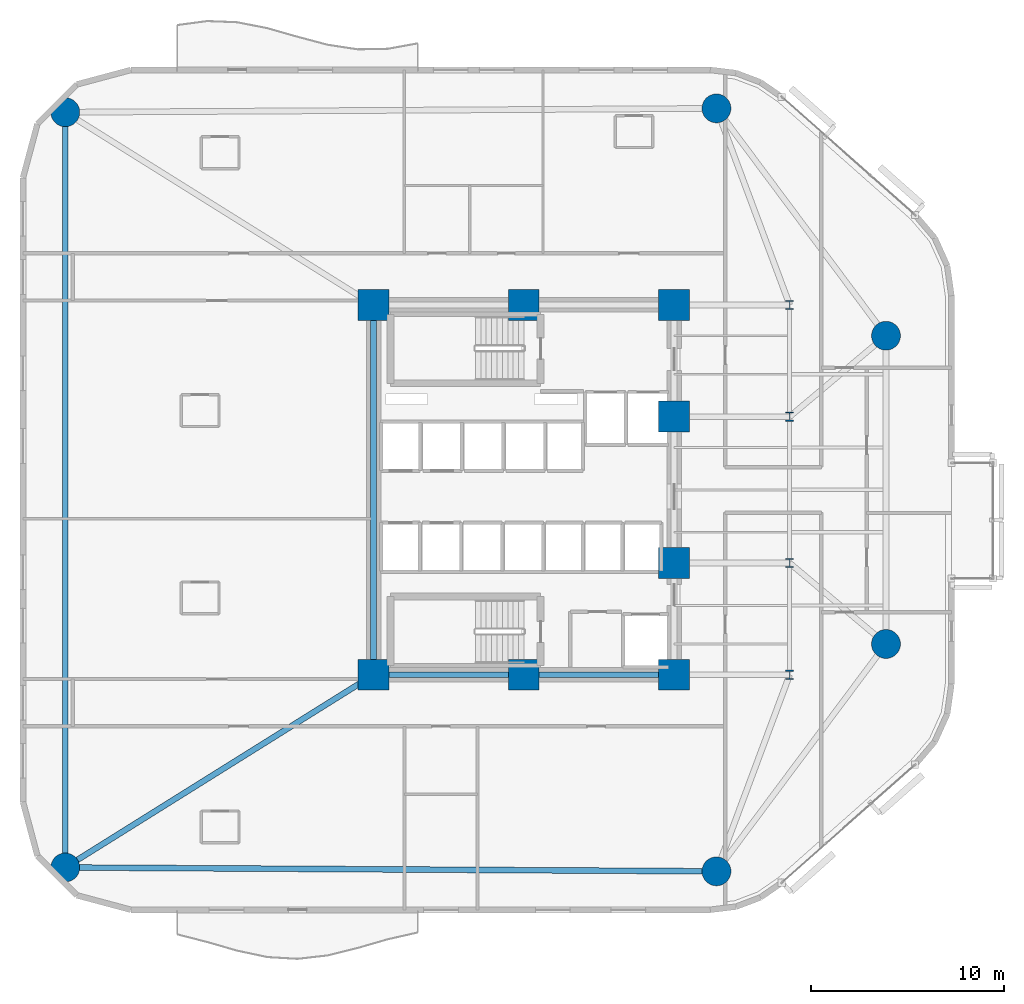
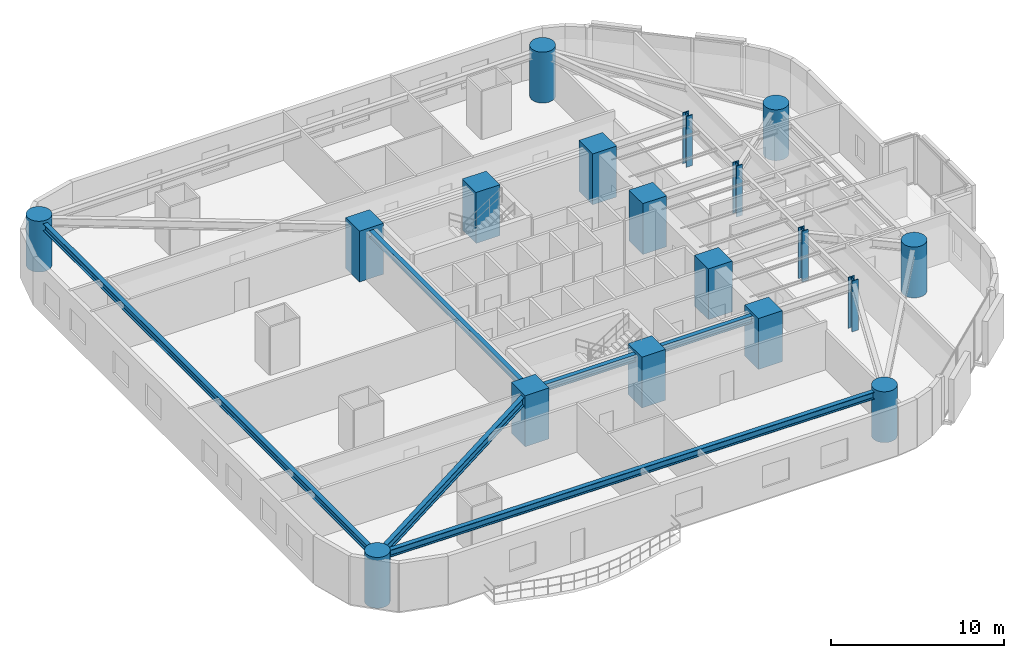
# One storey, part 1 of 16: 18 columns, 5 beams.
"""IFC4 building model written with IfcOpenShell, lengths in metres."""

from ifc_helpers import new_model, si_unit, direction, frame, origin, origin_2d, place, context, subcontext, project, spatial, rectangle, circle, i_section, extrude, material, material_profile, profile_set, type_object, element, save


model = new_model("IFC4")

# Units and contexts
model_context = context("Model", 3, precision=1e-05, world=origin(), true_north=direction((0.0, 1.0)))
body_context = subcontext(model_context, "Body", "Model", "MODEL_VIEW")
ifc_project = project(units=[si_unit("LENGTHUNIT", "METRE"), si_unit("AREAUNIT", "SQUARE_METRE"), si_unit("VOLUMEUNIT", "CUBIC_METRE"), si_unit("PLANEANGLEUNIT", "RADIAN"), si_unit("MASSUNIT", "GRAM", prefix="KILO")], contexts=[model_context])

# Site, building, storey
site_placement = place(None, origin())
site = spatial("IfcSite", under=ifc_project, at=site_placement, CompositionType="ELEMENT")
building_placement = place(site_placement, origin())
building = spatial("IfcBuilding", under=site, at=building_placement, Name="An Khanh Terracotta Commons", CompositionType="ELEMENT")
storey_placement = place(building_placement, frame((0.0, 0.0, 57.60009765625)))
storey = spatial("IfcBuildingStorey", under=building, at=storey_placement, Name="L15", CompositionType="ELEMENT", Elevation=57.60009765625)

# Columns
ifc_material_1 = material(Name="Concrete C70/85", Category="concrete")
ifc_material_profile_1 = material_profile(ifc_material_1, circle(Radius=0.75, at=origin_2d()), Name="CFST1500")
ifc_profile_set_1 = profile_set([ifc_material_profile_1], Name="Concrete C70/85")
column_type_1 = type_object("IfcColumnType", Name="COL-CFST1500", PredefinedType="COLUMN", material=ifc_profile_set_1)
for number, where, z_axis, x_axis, name in (
    (1, (5.60009765625, 4.39990234375, 0.0), (0.0, 0.0, 1.0), (1.0, 0.0, 0.0), "L15 Perimeter CFST Mega-Column MC-01"),
    (2, (39.39990234375, 4.199951171875, 0.0), (0.0, 0.0, 1.0), (1.0, 0.0, 0.0), "L15 Perimeter CFST Mega-Column MC-02"),
    (3, (48.199951171875, 16.0, 0.0), (0.0, 0.0, 1.0), (1.0, 0.0, 0.0), "L15 Perimeter CFST Mega-Column MC-03"),
    (4, (48.199951171875, 32.0, 0.0), (0.0, 0.0, 1.0), (1.0, 0.0, 0.0), "L15 Perimeter CFST Mega-Column MC-04"),
    (5, (39.39990234375, 43.800048828125, 0.0), (0.0, 0.0, 1.0), (1.0, 0.0, 0.0), "L15 Perimeter CFST Mega-Column MC-05"),
    (6, (5.60009765625, 43.60009765625, 0.0), (0.0, 0.0, 1.0), (1.0, 0.0, 0.0), "L15 Perimeter CFST Mega-Column MC-06"),
):
    element("IfcColumn", number, at=place(storey_placement, frame(where, z_axis=z_axis, x_axis=x_axis)), inside=storey, type_object=column_type_1, Name=name, PredefinedType="COLUMN", context=body_context, shape_type="SweptSolid", body=[
        extrude(circle(Radius=0.75, at=origin_2d()), origin(), (0.0, 0.0, 1.0), 3.599853515625),
    ])
ifc_material_2 = material(Name="Steel S460ML", Category="steel")
ifc_material_profile_2 = material_profile(ifc_material_2, i_section(OverallWidth=0.4169921875, OverallDepth=0.47705078125, WebThickness=0.035888671875, FlangeThickness=0.057373046875, FilletRadius=0.014892578125, at=origin_2d()), Name="HD400x463")
ifc_profile_set_2 = profile_set([ifc_material_profile_2], Name="Steel S460ML")
column_type_2 = type_object("IfcColumnType", Name="COL-HD400x463", PredefinedType="COLUMN", material=ifc_profile_set_2)
for number, where, z_axis, x_axis, name in (
    (7, (43.199951171875, 14.39990234375, 0.0), (0.0, 0.0, 1.0), (1.0, 0.0, 0.0), "L15 Interior Frame Column TC-01"),
    (8, (43.199951171875, 20.199951171875, 0.0), (0.0, 0.0, 1.0), (1.0, 0.0, 0.0), "L15 Interior Frame Column TC-02"),
    (9, (43.199951171875, 27.800048828125, 0.0), (0.0, 0.0, 1.0), (1.0, 0.0, 0.0), "L15 Interior Frame Column TC-03"),
    (10, (43.199951171875, 33.60009765625, 0.0), (0.0, 0.0, 1.0), (1.0, 0.0, 0.0), "L15 Interior Frame Column TC-04"),
):
    element("IfcColumn", number, at=place(storey_placement, frame(where, z_axis=z_axis, x_axis=x_axis)), inside=storey, type_object=column_type_2, Name=name, PredefinedType="COLUMN", context=body_context, shape_type="SweptSolid", body=[
        extrude(i_section(OverallWidth=0.4169921875, OverallDepth=0.47705078125, WebThickness=0.035888671875, FlangeThickness=0.057373046875, FilletRadius=0.014892578125, at=origin_2d()), origin(), (0.0, 0.0, 1.0), 3.599853515625),
    ])
ifc_material_profile_3 = material_profile(ifc_material_1, rectangle(XDim=1.60009765625, YDim=1.60009765625, at=origin_2d()), Name="RC1600x1600")
ifc_profile_set_3 = profile_set([ifc_material_profile_3], Name="Concrete C70/85")
column_type_3 = type_object("IfcColumnType", Name="COL-RC1600x1600", PredefinedType="COLUMN", material=ifc_profile_set_3)
for number, where, z_axis, x_axis, name in (
    (11, (21.60009765625, 14.39990234375, 0.0), (0.0, 0.0, 1.0), (1.0, 0.0, 0.0), "L15 Core Boundary Column CC-01"),
    (12, (29.39990234375, 14.39990234375, 0.0), (0.0, 0.0, 1.0), (1.0, 0.0, 0.0), "L15 Core Boundary Column CC-02"),
    (13, (37.199951171875, 14.39990234375, 0.0), (0.0, 0.0, 1.0), (1.0, 0.0, 0.0), "L15 Core Boundary Column CC-03"),
    (14, (37.199951171875, 20.199951171875, 0.0), (0.0, 0.0, 1.0), (1.0, 0.0, 0.0), "L15 Core Boundary Column CC-04"),
    (15, (37.199951171875, 27.800048828125, 0.0), (0.0, 0.0, 1.0), (1.0, 0.0, 0.0), "L15 Core Boundary Column CC-05"),
    (16, (37.199951171875, 33.60009765625, 0.0), (0.0, 0.0, 1.0), (1.0, 0.0, 0.0), "L15 Core Boundary Column CC-06"),
    (17, (29.39990234375, 33.60009765625, 0.0), (0.0, 0.0, 1.0), (1.0, 0.0, 0.0), "L15 Core Boundary Column CC-07"),
    (18, (21.60009765625, 33.60009765625, 0.0), (0.0, 0.0, 1.0), (1.0, 0.0, 0.0), "L15 Core Boundary Column CC-08"),
):
    element("IfcColumn", number, at=place(storey_placement, frame(where, z_axis=z_axis, x_axis=x_axis)), inside=storey, type_object=column_type_3, Name=name, PredefinedType="COLUMN", context=body_context, shape_type="SweptSolid", body=[
        extrude(rectangle(XDim=1.60009765625, YDim=1.60009765625, at=origin_2d()), origin(), (0.0, 0.0, 1.0), 3.599853515625),
    ])

# Beams
ifc_material_3 = material(Name="Steel S355J2", Category="steel")
ifc_material_profile_4 = material_profile(ifc_material_3, i_section(OverallWidth=0.300048828125, OverallDepth=0.449951171875, WebThickness=0.013916015625, FlangeThickness=0.02587890625, FilletRadius=0.027099609375, at=origin_2d()), Name="HEB450")
ifc_profile_set_4 = profile_set([ifc_material_profile_4], Name="Steel S355J2")
beam_type_1 = type_object("IfcBeamType", Name="BM-HEB450", PredefinedType="BEAM", material=ifc_profile_set_4)
beam_1_placement = place(storey_placement, frame((21.60009765625, 14.39990234375, 3.1748046875), z_axis=(0.0, 1.0, 0.0), x_axis=(-1.0, 0.0, 0.0)))
element("IfcBeam", 19, at=beam_1_placement, inside=storey, type_object=beam_type_1, Name="L15 Core West Coupling Girder", PredefinedType="BEAM", context=body_context, shape_type="SweptSolid", body=[
    extrude(i_section(OverallWidth=0.300048828125, OverallDepth=0.449951171875, WebThickness=0.013916015625, FlangeThickness=0.02587890625, FilletRadius=0.027099609375, at=origin_2d()), origin(), (0.0, 0.0, 1.0), 19.2001953125),
])
ifc_material_profile_5 = material_profile(ifc_material_3, i_section(OverallWidth=0.300048828125, OverallDepth=0.5, WebThickness=0.014404296875, FlangeThickness=0.028076171875, FilletRadius=0.027099609375, at=origin_2d()), Name="HEB500")
ifc_profile_set_5 = profile_set([ifc_material_profile_5], Name="Steel S355J2")
beam_type_2 = type_object("IfcBeamType", Name="BM-HEB500", PredefinedType="BEAM", material=ifc_profile_set_5)
beam_2_placement = place(storey_placement, frame((21.60009765625, 14.39990234375, 3.14990234375), z_axis=(1.0, 0.0, 0.0), x_axis=(0.0, 1.0, 0.0)))
element("IfcBeam", 20, at=beam_2_placement, inside=storey, type_object=beam_type_2, Name="L15 Core South Coupling Girder", PredefinedType="BEAM", context=body_context, shape_type="SweptSolid", body=[
    extrude(i_section(OverallWidth=0.300048828125, OverallDepth=0.5, WebThickness=0.014404296875, FlangeThickness=0.028076171875, FilletRadius=0.027099609375, at=origin_2d()), origin(), (0.0, 0.0, 1.0), 15.599853515625),
])
beam_3_placement = place(storey_placement, frame((5.60009765625, 4.39990234375, 3.14990234375), z_axis=(0.999982502414, -0.005915645817, 0.0), x_axis=(0.005915645817, 0.999982502414, 0.0)))
element("IfcBeam", 21, at=beam_3_placement, inside=storey, type_object=beam_type_2, Name="L15 Perimeter Ring Spandrel 1", PredefinedType="BEAM", context=body_context, shape_type="SweptSolid", body=[
    extrude(i_section(OverallWidth=0.300048828125, OverallDepth=0.5, WebThickness=0.014404296875, FlangeThickness=0.028076171875, FilletRadius=0.027099609375, at=origin_2d()), origin(), (0.0, 0.0, 1.0), 33.80029296875),
])
beam_4_placement = place(storey_placement, frame((5.60009765625, 43.60009765625, 3.14990234375), z_axis=(0.0, -1.0, 0.0), x_axis=(1.0, 0.0, 0.0)))
element("IfcBeam", 22, at=beam_4_placement, inside=storey, type_object=beam_type_2, Name="L15 Perimeter Ring Spandrel 6", PredefinedType="BEAM", context=body_context, shape_type="SweptSolid", body=[
    extrude(i_section(OverallWidth=0.300048828125, OverallDepth=0.5, WebThickness=0.014404296875, FlangeThickness=0.028076171875, FilletRadius=0.027099609375, at=origin_2d()), origin(), (0.0, 0.0, 1.0), 39.2001953125),
])
ifc_material_profile_6 = material_profile(ifc_material_3, i_section(OverallWidth=0.300048828125, OverallDepth=0.60009765625, WebThickness=0.015380859375, FlangeThickness=0.030029296875, FilletRadius=0.027099609375, at=origin_2d()), Name="HEB600")
ifc_profile_set_6 = profile_set([ifc_material_profile_6], Name="Steel S355J2")
beam_type_3 = type_object("IfcBeamType", Name="BM-HEB600", PredefinedType="BEAM", material=ifc_profile_set_6)
beam_5_placement = place(storey_placement, frame((5.60009765625, 4.39990234375, 3.099853515625), z_axis=(0.847998304005, 0.529998940003, 0.0), x_axis=(-0.529998940003, 0.847998304005, 0.0)))
element("IfcBeam", 23, at=beam_5_placement, inside=storey, type_object=beam_type_3, Name="L15 Mega-Column Tie Girder 1", PredefinedType="BEAM", context=body_context, shape_type="SweptSolid", body=[
    extrude(i_section(OverallWidth=0.300048828125, OverallDepth=0.60009765625, WebThickness=0.015380859375, FlangeThickness=0.030029296875, FilletRadius=0.027099609375, at=origin_2d()), origin(), (0.0, 0.0, 1.0), 18.867919921875),
])

save(model, "model.ifc")
